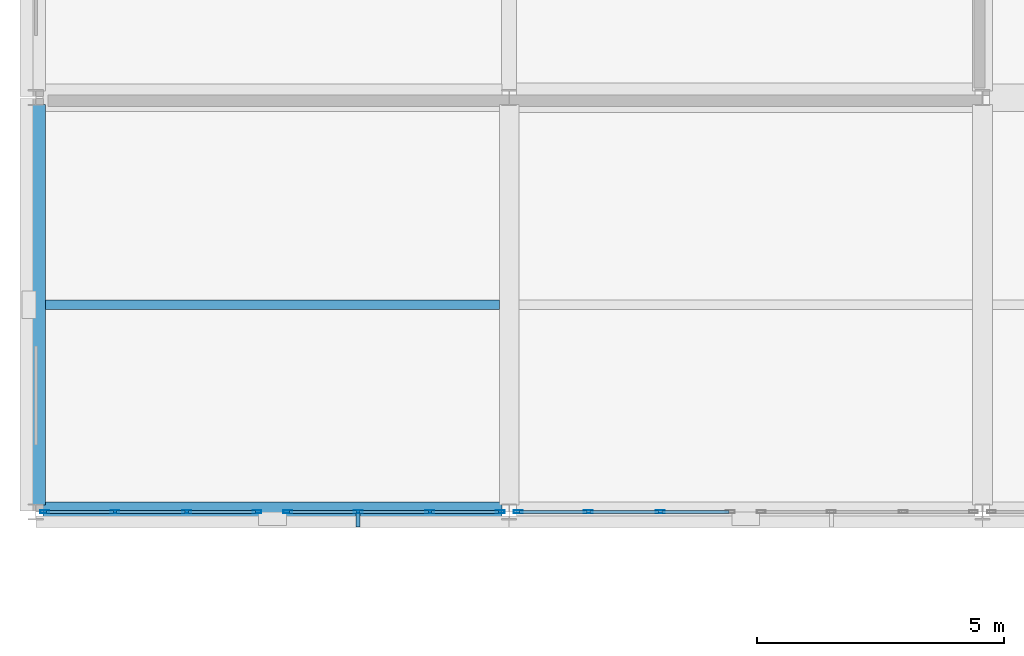
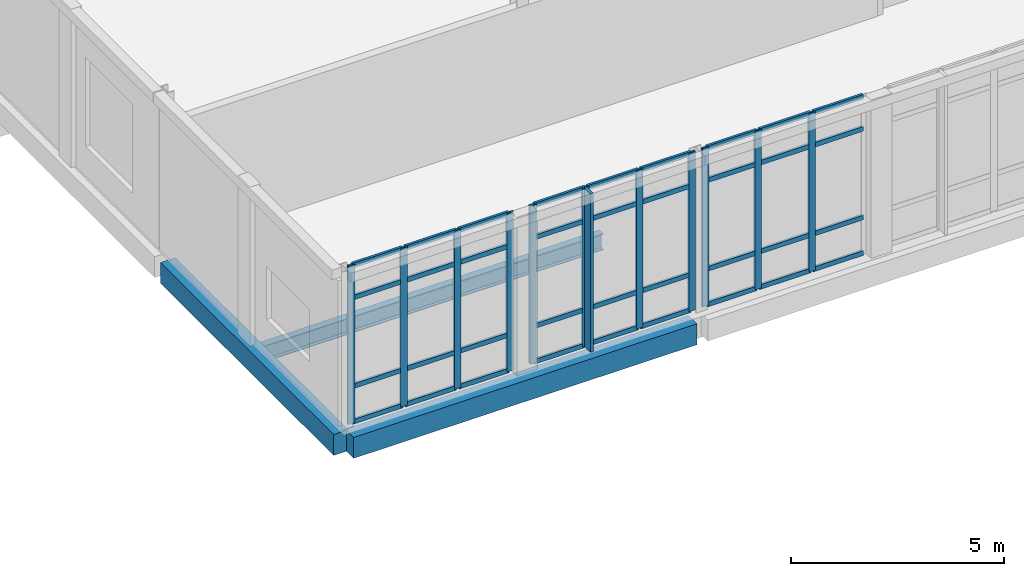
# One storey, part 41 of 88: 48 members, 3 beams, 3 elements without a shape of their own.
"""IFC4 building model written with IfcOpenShell, lengths in metres."""

from ifc_helpers import new_model, si_unit, direction, frame, origin, origin_2d, place, context, subcontext, project, spatial, rectangle, hollow_rectangle, i_section, extrude, material, layer, layer_set, material_profile, profile_set, type_object, element, aggregate, save


model = new_model("IFC4")

# Units and contexts
model_context = context("Model", 3, precision=1e-05, world=origin(), true_north=direction((0.0, 1.0)))
body_context = subcontext(model_context, "Body", "Model", "MODEL_VIEW")
ifc_project = project(units=[si_unit("LENGTHUNIT", "METRE"), si_unit("AREAUNIT", "SQUARE_METRE"), si_unit("VOLUMEUNIT", "CUBIC_METRE"), si_unit("PLANEANGLEUNIT", "RADIAN"), si_unit("MASSUNIT", "GRAM", prefix="KILO")], contexts=[model_context])

# Site, building, storey
site_placement = place(None, origin())
site = spatial("IfcSite", under=ifc_project, at=site_placement, CompositionType="ELEMENT")
building_placement = place(site_placement, origin())
building = spatial("IfcBuilding", under=site, at=building_placement, Name="Lornevale Opera House", CompositionType="ELEMENT")
storey_placement = place(building_placement, frame((0.0, 0.0, 10.199951171875)))
storey = spatial("IfcBuildingStorey", under=building, at=storey_placement, Name="L03", CompositionType="ELEMENT", Elevation=10.199951171875)

# Beams
ifc_material_1 = material(Name="Concrete 35 MPa (CSA A23.1 N)", Category="concrete")
ifc_material_profile_1 = material_profile(ifc_material_1, rectangle(XDim=0.39990234375, YDim=0.60009765625, at=origin_2d()), Name="RC400x600")
ifc_profile_set_1 = profile_set([ifc_material_profile_1], Name="Concrete 35 MPa (CSA A23.1 N)")
beam_type_1 = type_object("IfcBeamType", Name="Concrete Spandrel Beam 400x600", PredefinedType="SPANDREL", material=ifc_profile_set_1)
beam_1_placement = place(storey_placement, frame((0.14697265625, 67.199951171875, -0.579833984375), z_axis=(1.0, 0.0, 0.0), x_axis=(0.0, 1.0, 0.0)))
element("IfcBeam", 1, at=beam_1_placement, inside=storey, type_object=beam_type_1, Name="Concrete Spandrel Beam 400x600 2164", PredefinedType="SPANDREL", context=body_context, shape_type="SweptSolid", body=[
    extrude(rectangle(XDim=0.39990234375, YDim=0.60009765625, at=origin_2d()), origin(), (0.0, 0.0, 1.0), 9.305908203125),
])
beam_2_placement = place(storey_placement, frame((0.0, 67.33740234375, -0.579833984375), z_axis=(0.0, 1.0, 0.0), x_axis=(-1.0, 0.0, 0.0)))
element("IfcBeam", 2, at=beam_2_placement, inside=storey, type_object=beam_type_1, Name="Concrete Spandrel Beam 400x600 2229", PredefinedType="SPANDREL", context=body_context, shape_type="SweptSolid", body=[
    extrude(rectangle(XDim=0.39990234375, YDim=0.60009765625, at=origin_2d()), origin(), (0.0, 0.0, 1.0), 8.125),
])

# Curtain wall, members
ifc_material_2 = material(Name="Anodized Oxide-Green Aluminium Framing", Category="aluminium")
ifc_layer = layer(ifc_material_2, 0.175048828125)
ifc_layer_set = layer_set([ifc_layer], Name="Anodized Oxide-Green Aluminium Framing")
curtain_wall_type = type_object("IfcCurtainWallType", Name="Chamber Cloister Curtain Wall M1700", PredefinedType="NOTDEFINED", material=ifc_layer_set)
curtain_wall_1_placement = place(storey_placement, origin())
curtain_wall_1 = element("IfcCurtainWall", 3, at=curtain_wall_1_placement, inside=storey, type_object=curtain_wall_type, Name="Chamber Cloister Curtain Wall M1700 CW-096", PredefinedType="NOTDEFINED")
ifc_material_profile_2 = material_profile(ifc_material_2, hollow_rectangle(XDim=0.06494140625, YDim=0.179931640625, WallThickness=0.0048828125, at=origin_2d()), Name="ALU65x180x5")
ifc_profile_set_2 = profile_set([ifc_material_profile_2], Name="Anodized Oxide-Green Aluminium Framing")
member_type_1 = type_object("IfcMemberType", Name="Curtain Wall Mullion 65x180", PredefinedType="MULLION", material=ifc_profile_set_2)
member_1_placement = place(storey_placement, frame((9.4169921875, 67.199951171875, 0.0), z_axis=(0.0, 0.0, 1.0), x_axis=(0.0, -1.0, 0.0)))
member_1 = element("IfcMember", 4, at=member_1_placement, type_object=member_type_1, Name="Curtain Wall Mullion 65x180 CW1920", PredefinedType="MULLION", context=body_context, shape_type="SweptSolid", body=[
    extrude(hollow_rectangle(XDim=0.06494140625, YDim=0.179931640625, WallThickness=0.0048828125, at=origin_2d()), origin(), (0.0, 0.0, 1.0), 4.5400390625),
])
member_2_placement = place(storey_placement, frame((7.992919921875, 67.199951171875, 0.0), z_axis=(0.0, 0.0, 1.0), x_axis=(0.0, -1.0, 0.0)))
member_2 = element("IfcMember", 5, at=member_2_placement, type_object=member_type_1, Name="Curtain Wall Mullion 65x180 CW1921", PredefinedType="MULLION", context=body_context, shape_type="SweptSolid", body=[
    extrude(hollow_rectangle(XDim=0.06494140625, YDim=0.179931640625, WallThickness=0.0048828125, at=origin_2d()), origin(), (0.0, 0.0, 1.0), 4.5400390625),
])
member_3_placement = place(storey_placement, frame((6.53662109375, 67.199951171875, 0.0), z_axis=(0.0, 0.0, 1.0), x_axis=(0.0, -1.0, 0.0)))
member_3 = element("IfcMember", 6, at=member_3_placement, type_object=member_type_1, Name="Curtain Wall Mullion 65x180 CW1922", PredefinedType="MULLION", context=body_context, shape_type="SweptSolid", body=[
    extrude(hollow_rectangle(XDim=0.06494140625, YDim=0.179931640625, WallThickness=0.0048828125, at=origin_2d()), origin(), (0.0, 0.0, 1.0), 4.5400390625),
])
member_4_placement = place(storey_placement, frame((5.112548828125, 67.199951171875, 0.0), z_axis=(0.0, 0.0, 1.0), x_axis=(0.0, -1.0, 0.0)))
member_4 = element("IfcMember", 7, at=member_4_placement, type_object=member_type_1, Name="Curtain Wall Mullion 65x180 CW1923", PredefinedType="MULLION", context=body_context, shape_type="SweptSolid", body=[
    extrude(hollow_rectangle(XDim=0.06494140625, YDim=0.179931640625, WallThickness=0.0048828125, at=origin_2d()), origin(), (0.0, 0.0, 1.0), 4.5400390625),
])

curtain_wall_2_placement = place(storey_placement, origin())
curtain_wall_2 = element("IfcCurtainWall", 8, at=curtain_wall_2_placement, inside=storey, type_object=curtain_wall_type, Name="Chamber Cloister Curtain Wall M1700 CW-097", PredefinedType="NOTDEFINED")
member_5_placement = place(storey_placement, frame((4.487548828125, 67.199951171875, 0.0), z_axis=(0.0, 0.0, 1.0), x_axis=(0.0, -1.0, 0.0)))
member_5 = element("IfcMember", 9, at=member_5_placement, type_object=member_type_1, Name="Curtain Wall Mullion 65x180 CW1945", PredefinedType="MULLION", context=body_context, shape_type="SweptSolid", body=[
    extrude(hollow_rectangle(XDim=0.06494140625, YDim=0.179931640625, WallThickness=0.0048828125, at=origin_2d()), origin(), (0.0, 0.0, 1.0), 4.5400390625),
])
member_6_placement = place(storey_placement, frame((3.0634765625, 67.199951171875, 0.0), z_axis=(0.0, 0.0, 1.0), x_axis=(0.0, -1.0, 0.0)))
member_6 = element("IfcMember", 10, at=member_6_placement, type_object=member_type_1, Name="Curtain Wall Mullion 65x180 CW1946", PredefinedType="MULLION", context=body_context, shape_type="SweptSolid", body=[
    extrude(hollow_rectangle(XDim=0.06494140625, YDim=0.179931640625, WallThickness=0.0048828125, at=origin_2d()), origin(), (0.0, 0.0, 1.0), 4.5400390625),
])
member_7_placement = place(storey_placement, frame((1.60693359375, 67.199951171875, 0.0), z_axis=(0.0, 0.0, 1.0), x_axis=(0.0, -1.0, 0.0)))
member_7 = element("IfcMember", 11, at=member_7_placement, type_object=member_type_1, Name="Curtain Wall Mullion 65x180 CW1947", PredefinedType="MULLION", context=body_context, shape_type="SweptSolid", body=[
    extrude(hollow_rectangle(XDim=0.06494140625, YDim=0.179931640625, WallThickness=0.0048828125, at=origin_2d()), origin(), (0.0, 0.0, 1.0), 4.5400390625),
])
member_8_placement = place(storey_placement, frame((0.18310546875, 67.199951171875, 0.0), z_axis=(0.0, 0.0, 1.0), x_axis=(0.0, -1.0, 0.0)))
member_8 = element("IfcMember", 12, at=member_8_placement, type_object=member_type_1, Name="Curtain Wall Mullion 65x180 CW1948", PredefinedType="MULLION", context=body_context, shape_type="SweptSolid", body=[
    extrude(hollow_rectangle(XDim=0.06494140625, YDim=0.179931640625, WallThickness=0.0048828125, at=origin_2d()), origin(), (0.0, 0.0, 1.0), 4.5400390625),
])

curtain_wall_3_placement = place(storey_placement, origin())
curtain_wall_3 = element("IfcCurtainWall", 13, at=curtain_wall_3_placement, inside=storey, type_object=curtain_wall_type, Name="Chamber Cloister Curtain Wall M1700 CW-105", PredefinedType="NOTDEFINED")
member_9_placement = place(storey_placement, frame((12.66357421875, 67.199951171875, 0.0), z_axis=(0.0, 0.0, 1.0), x_axis=(0.0, -1.0, 0.0)))
member_9 = element("IfcMember", 14, at=member_9_placement, type_object=member_type_1, Name="Curtain Wall Mullion 65x180 CW2146", PredefinedType="MULLION", context=body_context, shape_type="SweptSolid", body=[
    extrude(hollow_rectangle(XDim=0.06494140625, YDim=0.179931640625, WallThickness=0.0048828125, at=origin_2d()), origin(), (0.0, 0.0, 1.0), 4.5400390625),
])
member_10_placement = place(storey_placement, frame((11.20703125, 67.199951171875, 0.0), z_axis=(0.0, 0.0, 1.0), x_axis=(0.0, -1.0, 0.0)))
member_10 = element("IfcMember", 15, at=member_10_placement, type_object=member_type_1, Name="Curtain Wall Mullion 65x180 CW2147", PredefinedType="MULLION", context=body_context, shape_type="SweptSolid", body=[
    extrude(hollow_rectangle(XDim=0.06494140625, YDim=0.179931640625, WallThickness=0.0048828125, at=origin_2d()), origin(), (0.0, 0.0, 1.0), 4.5400390625),
])
member_11_placement = place(storey_placement, frame((9.782958984375, 67.199951171875, 0.0), z_axis=(0.0, 0.0, 1.0), x_axis=(0.0, -1.0, 0.0)))
member_11 = element("IfcMember", 16, at=member_11_placement, type_object=member_type_1, Name="Curtain Wall Mullion 65x180 CW2148", PredefinedType="MULLION", context=body_context, shape_type="SweptSolid", body=[
    extrude(hollow_rectangle(XDim=0.06494140625, YDim=0.179931640625, WallThickness=0.0048828125, at=origin_2d()), origin(), (0.0, 0.0, 1.0), 4.5400390625),
])

# Member
ifc_material_profile_3 = material_profile(ifc_material_2, hollow_rectangle(XDim=0.06494140625, YDim=0.135009765625, WallThickness=0.00390625, at=origin_2d()), Name="ALU65x135x4")
ifc_profile_set_3 = profile_set([ifc_material_profile_3], Name="Anodized Oxide-Green Aluminium Framing")
member_type_2 = type_object("IfcMemberType", Name="Curtain Wall Transom 65x135", PredefinedType="USERDEFINED", material=ifc_profile_set_3)
member_12_placement = place(storey_placement, frame((9.384521484375, 67.199951171875, 0.032470703125), z_axis=(-1.0, 0.0, 0.0), x_axis=(0.0, -1.0, 0.0)))
member_12 = element("IfcMember", 17, at=member_12_placement, type_object=member_type_2, Name="Curtain Wall Transom 65x135 CW1924", ObjectType="TRANSOM", PredefinedType="USERDEFINED", context=body_context, shape_type="SweptSolid", body=[
    extrude(hollow_rectangle(XDim=0.06494140625, YDim=0.135009765625, WallThickness=0.00390625, at=origin_2d()), origin(), (0.0, 0.0, 1.0), 1.359130859375),
])

member_13_placement = place(storey_placement, frame((9.384521484375, 67.199951171875, 1.050048828125), z_axis=(-1.0, 0.0, 0.0), x_axis=(0.0, -1.0, 0.0)))
member_13 = element("IfcMember", 18, at=member_13_placement, type_object=member_type_2, Name="Curtain Wall Transom 65x135 CW1925", ObjectType="TRANSOM", PredefinedType="USERDEFINED", context=body_context, shape_type="SweptSolid", body=[
    extrude(hollow_rectangle(XDim=0.06494140625, YDim=0.135009765625, WallThickness=0.00390625, at=origin_2d()), origin(), (0.0, 0.0, 1.0), 1.359130859375),
])

member_14_placement = place(storey_placement, frame((9.384521484375, 67.199951171875, 3.590087890625), z_axis=(-1.0, 0.0, 0.0), x_axis=(0.0, -1.0, 0.0)))
member_14 = element("IfcMember", 19, at=member_14_placement, type_object=member_type_2, Name="Curtain Wall Transom 65x135 CW1926", ObjectType="TRANSOM", PredefinedType="USERDEFINED", context=body_context, shape_type="SweptSolid", body=[
    extrude(hollow_rectangle(XDim=0.06494140625, YDim=0.135009765625, WallThickness=0.00390625, at=origin_2d()), origin(), (0.0, 0.0, 1.0), 1.359130859375),
])

member_15_placement = place(storey_placement, frame((9.384521484375, 67.199951171875, 4.507568359375), z_axis=(-1.0, 0.0, 0.0), x_axis=(0.0, -1.0, 0.0)))
member_15 = element("IfcMember", 20, at=member_15_placement, type_object=member_type_2, Name="Curtain Wall Transom 65x135 CW1927", ObjectType="TRANSOM", PredefinedType="USERDEFINED", context=body_context, shape_type="SweptSolid", body=[
    extrude(hollow_rectangle(XDim=0.06494140625, YDim=0.135009765625, WallThickness=0.00390625, at=origin_2d()), origin(), (0.0, 0.0, 1.0), 1.359130859375),
])

member_16_placement = place(storey_placement, frame((7.96044921875, 67.199951171875, 0.032470703125), z_axis=(-1.0, 0.0, 0.0), x_axis=(0.0, -1.0, 0.0)))
member_16 = element("IfcMember", 21, at=member_16_placement, type_object=member_type_2, Name="Curtain Wall Transom 65x135 CW1931", ObjectType="TRANSOM", PredefinedType="USERDEFINED", context=body_context, shape_type="SweptSolid", body=[
    extrude(hollow_rectangle(XDim=0.06494140625, YDim=0.135009765625, WallThickness=0.00390625, at=origin_2d()), origin(), (0.0, 0.0, 1.0), 1.391357421875),
])

member_17_placement = place(storey_placement, frame((7.96044921875, 67.199951171875, 1.050048828125), z_axis=(-1.0, 0.0, 0.0), x_axis=(0.0, -1.0, 0.0)))
member_17 = element("IfcMember", 22, at=member_17_placement, type_object=member_type_2, Name="Curtain Wall Transom 65x135 CW1932", ObjectType="TRANSOM", PredefinedType="USERDEFINED", context=body_context, shape_type="SweptSolid", body=[
    extrude(hollow_rectangle(XDim=0.06494140625, YDim=0.135009765625, WallThickness=0.00390625, at=origin_2d()), origin(), (0.0, 0.0, 1.0), 1.391357421875),
])

member_18_placement = place(storey_placement, frame((7.96044921875, 67.199951171875, 3.590087890625), z_axis=(-1.0, 0.0, 0.0), x_axis=(0.0, -1.0, 0.0)))
member_18 = element("IfcMember", 23, at=member_18_placement, type_object=member_type_2, Name="Curtain Wall Transom 65x135 CW1933", ObjectType="TRANSOM", PredefinedType="USERDEFINED", context=body_context, shape_type="SweptSolid", body=[
    extrude(hollow_rectangle(XDim=0.06494140625, YDim=0.135009765625, WallThickness=0.00390625, at=origin_2d()), origin(), (0.0, 0.0, 1.0), 1.391357421875),
])

member_19_placement = place(storey_placement, frame((7.96044921875, 67.199951171875, 4.507568359375), z_axis=(-1.0, 0.0, 0.0), x_axis=(0.0, -1.0, 0.0)))
member_19 = element("IfcMember", 24, at=member_19_placement, type_object=member_type_2, Name="Curtain Wall Transom 65x135 CW1934", ObjectType="TRANSOM", PredefinedType="USERDEFINED", context=body_context, shape_type="SweptSolid", body=[
    extrude(hollow_rectangle(XDim=0.06494140625, YDim=0.135009765625, WallThickness=0.00390625, at=origin_2d()), origin(), (0.0, 0.0, 1.0), 1.391357421875),
])

member_20_placement = place(storey_placement, frame((6.50390625, 67.199951171875, 0.032470703125), z_axis=(-1.0, 0.0, 0.0), x_axis=(0.0, -1.0, 0.0)))
member_20 = element("IfcMember", 25, at=member_20_placement, type_object=member_type_2, Name="Curtain Wall Transom 65x135 CW1938", ObjectType="TRANSOM", PredefinedType="USERDEFINED", context=body_context, shape_type="SweptSolid", body=[
    extrude(hollow_rectangle(XDim=0.06494140625, YDim=0.135009765625, WallThickness=0.00390625, at=origin_2d()), origin(), (0.0, 0.0, 1.0), 1.35888671875),
])

member_21_placement = place(storey_placement, frame((6.50390625, 67.199951171875, 1.050048828125), z_axis=(-1.0, 0.0, 0.0), x_axis=(0.0, -1.0, 0.0)))
member_21 = element("IfcMember", 26, at=member_21_placement, type_object=member_type_2, Name="Curtain Wall Transom 65x135 CW1939", ObjectType="TRANSOM", PredefinedType="USERDEFINED", context=body_context, shape_type="SweptSolid", body=[
    extrude(hollow_rectangle(XDim=0.06494140625, YDim=0.135009765625, WallThickness=0.00390625, at=origin_2d()), origin(), (0.0, 0.0, 1.0), 1.35888671875),
])

member_22_placement = place(storey_placement, frame((6.50390625, 67.199951171875, 3.590087890625), z_axis=(-1.0, 0.0, 0.0), x_axis=(0.0, -1.0, 0.0)))
member_22 = element("IfcMember", 27, at=member_22_placement, type_object=member_type_2, Name="Curtain Wall Transom 65x135 CW1940", ObjectType="TRANSOM", PredefinedType="USERDEFINED", context=body_context, shape_type="SweptSolid", body=[
    extrude(hollow_rectangle(XDim=0.06494140625, YDim=0.135009765625, WallThickness=0.00390625, at=origin_2d()), origin(), (0.0, 0.0, 1.0), 1.35888671875),
])

member_23_placement = place(storey_placement, frame((6.50390625, 67.199951171875, 4.507568359375), z_axis=(-1.0, 0.0, 0.0), x_axis=(0.0, -1.0, 0.0)))
member_23 = element("IfcMember", 28, at=member_23_placement, type_object=member_type_2, Name="Curtain Wall Transom 65x135 CW1941", ObjectType="TRANSOM", PredefinedType="USERDEFINED", context=body_context, shape_type="SweptSolid", body=[
    extrude(hollow_rectangle(XDim=0.06494140625, YDim=0.135009765625, WallThickness=0.00390625, at=origin_2d()), origin(), (0.0, 0.0, 1.0), 1.35888671875),
])

member_24_placement = place(storey_placement, frame((4.455078125, 67.199951171875, 0.032470703125), z_axis=(-1.0, 0.0, 0.0), x_axis=(0.0, -1.0, 0.0)))
member_24 = element("IfcMember", 29, at=member_24_placement, type_object=member_type_2, Name="Curtain Wall Transom 65x135 CW1949", ObjectType="TRANSOM", PredefinedType="USERDEFINED", context=body_context, shape_type="SweptSolid", body=[
    extrude(hollow_rectangle(XDim=0.06494140625, YDim=0.135009765625, WallThickness=0.00390625, at=origin_2d()), origin(), (0.0, 0.0, 1.0), 1.359130859375),
])

member_25_placement = place(storey_placement, frame((4.455078125, 67.199951171875, 1.050048828125), z_axis=(-1.0, 0.0, 0.0), x_axis=(0.0, -1.0, 0.0)))
member_25 = element("IfcMember", 30, at=member_25_placement, type_object=member_type_2, Name="Curtain Wall Transom 65x135 CW1950", ObjectType="TRANSOM", PredefinedType="USERDEFINED", context=body_context, shape_type="SweptSolid", body=[
    extrude(hollow_rectangle(XDim=0.06494140625, YDim=0.135009765625, WallThickness=0.00390625, at=origin_2d()), origin(), (0.0, 0.0, 1.0), 1.359130859375),
])

member_26_placement = place(storey_placement, frame((4.455078125, 67.199951171875, 3.590087890625), z_axis=(-1.0, 0.0, 0.0), x_axis=(0.0, -1.0, 0.0)))
member_26 = element("IfcMember", 31, at=member_26_placement, type_object=member_type_2, Name="Curtain Wall Transom 65x135 CW1951", ObjectType="TRANSOM", PredefinedType="USERDEFINED", context=body_context, shape_type="SweptSolid", body=[
    extrude(hollow_rectangle(XDim=0.06494140625, YDim=0.135009765625, WallThickness=0.00390625, at=origin_2d()), origin(), (0.0, 0.0, 1.0), 1.359130859375),
])

member_27_placement = place(storey_placement, frame((4.455078125, 67.199951171875, 4.507568359375), z_axis=(-1.0, 0.0, 0.0), x_axis=(0.0, -1.0, 0.0)))
member_27 = element("IfcMember", 32, at=member_27_placement, type_object=member_type_2, Name="Curtain Wall Transom 65x135 CW1952", ObjectType="TRANSOM", PredefinedType="USERDEFINED", context=body_context, shape_type="SweptSolid", body=[
    extrude(hollow_rectangle(XDim=0.06494140625, YDim=0.135009765625, WallThickness=0.00390625, at=origin_2d()), origin(), (0.0, 0.0, 1.0), 1.359130859375),
])

member_28_placement = place(storey_placement, frame((3.031005859375, 67.199951171875, 0.032470703125), z_axis=(-1.0, 0.0, 0.0), x_axis=(0.0, -1.0, 0.0)))
member_28 = element("IfcMember", 33, at=member_28_placement, type_object=member_type_2, Name="Curtain Wall Transom 65x135 CW1956", ObjectType="TRANSOM", PredefinedType="USERDEFINED", context=body_context, shape_type="SweptSolid", body=[
    extrude(hollow_rectangle(XDim=0.06494140625, YDim=0.135009765625, WallThickness=0.00390625, at=origin_2d()), origin(), (0.0, 0.0, 1.0), 1.3916015625),
])

member_29_placement = place(storey_placement, frame((3.031005859375, 67.199951171875, 1.050048828125), z_axis=(-1.0, 0.0, 0.0), x_axis=(0.0, -1.0, 0.0)))
member_29 = element("IfcMember", 34, at=member_29_placement, type_object=member_type_2, Name="Curtain Wall Transom 65x135 CW1957", ObjectType="TRANSOM", PredefinedType="USERDEFINED", context=body_context, shape_type="SweptSolid", body=[
    extrude(hollow_rectangle(XDim=0.06494140625, YDim=0.135009765625, WallThickness=0.00390625, at=origin_2d()), origin(), (0.0, 0.0, 1.0), 1.3916015625),
])

member_30_placement = place(storey_placement, frame((3.031005859375, 67.199951171875, 3.590087890625), z_axis=(-1.0, 0.0, 0.0), x_axis=(0.0, -1.0, 0.0)))
member_30 = element("IfcMember", 35, at=member_30_placement, type_object=member_type_2, Name="Curtain Wall Transom 65x135 CW1958", ObjectType="TRANSOM", PredefinedType="USERDEFINED", context=body_context, shape_type="SweptSolid", body=[
    extrude(hollow_rectangle(XDim=0.06494140625, YDim=0.135009765625, WallThickness=0.00390625, at=origin_2d()), origin(), (0.0, 0.0, 1.0), 1.3916015625),
])

member_31_placement = place(storey_placement, frame((3.031005859375, 67.199951171875, 4.507568359375), z_axis=(-1.0, 0.0, 0.0), x_axis=(0.0, -1.0, 0.0)))
member_31 = element("IfcMember", 36, at=member_31_placement, type_object=member_type_2, Name="Curtain Wall Transom 65x135 CW1959", ObjectType="TRANSOM", PredefinedType="USERDEFINED", context=body_context, shape_type="SweptSolid", body=[
    extrude(hollow_rectangle(XDim=0.06494140625, YDim=0.135009765625, WallThickness=0.00390625, at=origin_2d()), origin(), (0.0, 0.0, 1.0), 1.3916015625),
])

member_32_placement = place(storey_placement, frame((1.574462890625, 67.199951171875, 0.032470703125), z_axis=(-1.0, 0.0, 0.0), x_axis=(0.0, -1.0, 0.0)))
member_32 = element("IfcMember", 37, at=member_32_placement, type_object=member_type_2, Name="Curtain Wall Transom 65x135 CW1963", ObjectType="TRANSOM", PredefinedType="USERDEFINED", context=body_context, shape_type="SweptSolid", body=[
    extrude(hollow_rectangle(XDim=0.06494140625, YDim=0.135009765625, WallThickness=0.00390625, at=origin_2d()), origin(), (0.0, 0.0, 1.0), 1.35888671875),
])

member_33_placement = place(storey_placement, frame((1.574462890625, 67.199951171875, 1.050048828125), z_axis=(-1.0, 0.0, 0.0), x_axis=(0.0, -1.0, 0.0)))
member_33 = element("IfcMember", 38, at=member_33_placement, type_object=member_type_2, Name="Curtain Wall Transom 65x135 CW1964", ObjectType="TRANSOM", PredefinedType="USERDEFINED", context=body_context, shape_type="SweptSolid", body=[
    extrude(hollow_rectangle(XDim=0.06494140625, YDim=0.135009765625, WallThickness=0.00390625, at=origin_2d()), origin(), (0.0, 0.0, 1.0), 1.35888671875),
])

member_34_placement = place(storey_placement, frame((1.574462890625, 67.199951171875, 3.590087890625), z_axis=(-1.0, 0.0, 0.0), x_axis=(0.0, -1.0, 0.0)))
member_34 = element("IfcMember", 39, at=member_34_placement, type_object=member_type_2, Name="Curtain Wall Transom 65x135 CW1965", ObjectType="TRANSOM", PredefinedType="USERDEFINED", context=body_context, shape_type="SweptSolid", body=[
    extrude(hollow_rectangle(XDim=0.06494140625, YDim=0.135009765625, WallThickness=0.00390625, at=origin_2d()), origin(), (0.0, 0.0, 1.0), 1.35888671875),
])

member_35_placement = place(storey_placement, frame((1.574462890625, 67.199951171875, 4.507568359375), z_axis=(-1.0, 0.0, 0.0), x_axis=(0.0, -1.0, 0.0)))
member_35 = element("IfcMember", 40, at=member_35_placement, type_object=member_type_2, Name="Curtain Wall Transom 65x135 CW1966", ObjectType="TRANSOM", PredefinedType="USERDEFINED", context=body_context, shape_type="SweptSolid", body=[
    extrude(hollow_rectangle(XDim=0.06494140625, YDim=0.135009765625, WallThickness=0.00390625, at=origin_2d()), origin(), (0.0, 0.0, 1.0), 1.35888671875),
])

aggregate(curtain_wall_2, [member_5, member_6, member_7, member_8, member_24, member_25, member_26, member_27, member_28, member_29, member_30, member_31, member_32, member_33, member_34, member_35])

member_36_placement = place(storey_placement, frame((14.054931640625, 67.199951171875, 0.032470703125), z_axis=(-1.0, 0.0, 0.0), x_axis=(0.0, -1.0, 0.0)))
member_36 = element("IfcMember", 41, at=member_36_placement, type_object=member_type_2, Name="Curtain Wall Transom 65x135 CW2149", ObjectType="TRANSOM", PredefinedType="USERDEFINED", context=body_context, shape_type="SweptSolid", body=[
    extrude(hollow_rectangle(XDim=0.06494140625, YDim=0.135009765625, WallThickness=0.00390625, at=origin_2d()), origin(), (0.0, 0.0, 1.0), 1.35888671875),
])

member_37_placement = place(storey_placement, frame((14.054931640625, 67.199951171875, 1.050048828125), z_axis=(-1.0, 0.0, 0.0), x_axis=(0.0, -1.0, 0.0)))
member_37 = element("IfcMember", 42, at=member_37_placement, type_object=member_type_2, Name="Curtain Wall Transom 65x135 CW2150", ObjectType="TRANSOM", PredefinedType="USERDEFINED", context=body_context, shape_type="SweptSolid", body=[
    extrude(hollow_rectangle(XDim=0.06494140625, YDim=0.135009765625, WallThickness=0.00390625, at=origin_2d()), origin(), (0.0, 0.0, 1.0), 1.35888671875),
])

member_38_placement = place(storey_placement, frame((14.054931640625, 67.199951171875, 3.590087890625), z_axis=(-1.0, 0.0, 0.0), x_axis=(0.0, -1.0, 0.0)))
member_38 = element("IfcMember", 43, at=member_38_placement, type_object=member_type_2, Name="Curtain Wall Transom 65x135 CW2151", ObjectType="TRANSOM", PredefinedType="USERDEFINED", context=body_context, shape_type="SweptSolid", body=[
    extrude(hollow_rectangle(XDim=0.06494140625, YDim=0.135009765625, WallThickness=0.00390625, at=origin_2d()), origin(), (0.0, 0.0, 1.0), 1.35888671875),
])

member_39_placement = place(storey_placement, frame((14.054931640625, 67.199951171875, 4.507568359375), z_axis=(-1.0, 0.0, 0.0), x_axis=(0.0, -1.0, 0.0)))
member_39 = element("IfcMember", 44, at=member_39_placement, type_object=member_type_2, Name="Curtain Wall Transom 65x135 CW2152", ObjectType="TRANSOM", PredefinedType="USERDEFINED", context=body_context, shape_type="SweptSolid", body=[
    extrude(hollow_rectangle(XDim=0.06494140625, YDim=0.135009765625, WallThickness=0.00390625, at=origin_2d()), origin(), (0.0, 0.0, 1.0), 1.35888671875),
])

member_40_placement = place(storey_placement, frame((12.631103515625, 67.199951171875, 0.032470703125), z_axis=(-1.0, 0.0, 0.0), x_axis=(0.0, -1.0, 0.0)))
member_40 = element("IfcMember", 45, at=member_40_placement, type_object=member_type_2, Name="Curtain Wall Transom 65x135 CW2156", ObjectType="TRANSOM", PredefinedType="USERDEFINED", context=body_context, shape_type="SweptSolid", body=[
    extrude(hollow_rectangle(XDim=0.06494140625, YDim=0.135009765625, WallThickness=0.00390625, at=origin_2d()), origin(), (0.0, 0.0, 1.0), 1.3916015625),
])

member_41_placement = place(storey_placement, frame((12.631103515625, 67.199951171875, 1.050048828125), z_axis=(-1.0, 0.0, 0.0), x_axis=(0.0, -1.0, 0.0)))
member_41 = element("IfcMember", 46, at=member_41_placement, type_object=member_type_2, Name="Curtain Wall Transom 65x135 CW2157", ObjectType="TRANSOM", PredefinedType="USERDEFINED", context=body_context, shape_type="SweptSolid", body=[
    extrude(hollow_rectangle(XDim=0.06494140625, YDim=0.135009765625, WallThickness=0.00390625, at=origin_2d()), origin(), (0.0, 0.0, 1.0), 1.3916015625),
])

member_42_placement = place(storey_placement, frame((12.631103515625, 67.199951171875, 3.590087890625), z_axis=(-1.0, 0.0, 0.0), x_axis=(0.0, -1.0, 0.0)))
member_42 = element("IfcMember", 47, at=member_42_placement, type_object=member_type_2, Name="Curtain Wall Transom 65x135 CW2158", ObjectType="TRANSOM", PredefinedType="USERDEFINED", context=body_context, shape_type="SweptSolid", body=[
    extrude(hollow_rectangle(XDim=0.06494140625, YDim=0.135009765625, WallThickness=0.00390625, at=origin_2d()), origin(), (0.0, 0.0, 1.0), 1.3916015625),
])

member_43_placement = place(storey_placement, frame((12.631103515625, 67.199951171875, 4.507568359375), z_axis=(-1.0, 0.0, 0.0), x_axis=(0.0, -1.0, 0.0)))
member_43 = element("IfcMember", 48, at=member_43_placement, type_object=member_type_2, Name="Curtain Wall Transom 65x135 CW2159", ObjectType="TRANSOM", PredefinedType="USERDEFINED", context=body_context, shape_type="SweptSolid", body=[
    extrude(hollow_rectangle(XDim=0.06494140625, YDim=0.135009765625, WallThickness=0.00390625, at=origin_2d()), origin(), (0.0, 0.0, 1.0), 1.3916015625),
])

member_44_placement = place(storey_placement, frame((11.174560546875, 67.199951171875, 0.032470703125), z_axis=(-1.0, 0.0, 0.0), x_axis=(0.0, -1.0, 0.0)))
member_44 = element("IfcMember", 49, at=member_44_placement, type_object=member_type_2, Name="Curtain Wall Transom 65x135 CW2163", ObjectType="TRANSOM", PredefinedType="USERDEFINED", context=body_context, shape_type="SweptSolid", body=[
    extrude(hollow_rectangle(XDim=0.06494140625, YDim=0.135009765625, WallThickness=0.00390625, at=origin_2d()), origin(), (0.0, 0.0, 1.0), 1.359130859375),
])

member_45_placement = place(storey_placement, frame((11.174560546875, 67.199951171875, 1.050048828125), z_axis=(-1.0, 0.0, 0.0), x_axis=(0.0, -1.0, 0.0)))
member_45 = element("IfcMember", 50, at=member_45_placement, type_object=member_type_2, Name="Curtain Wall Transom 65x135 CW2164", ObjectType="TRANSOM", PredefinedType="USERDEFINED", context=body_context, shape_type="SweptSolid", body=[
    extrude(hollow_rectangle(XDim=0.06494140625, YDim=0.135009765625, WallThickness=0.00390625, at=origin_2d()), origin(), (0.0, 0.0, 1.0), 1.359130859375),
])

member_46_placement = place(storey_placement, frame((11.174560546875, 67.199951171875, 3.590087890625), z_axis=(-1.0, 0.0, 0.0), x_axis=(0.0, -1.0, 0.0)))
member_46 = element("IfcMember", 51, at=member_46_placement, type_object=member_type_2, Name="Curtain Wall Transom 65x135 CW2165", ObjectType="TRANSOM", PredefinedType="USERDEFINED", context=body_context, shape_type="SweptSolid", body=[
    extrude(hollow_rectangle(XDim=0.06494140625, YDim=0.135009765625, WallThickness=0.00390625, at=origin_2d()), origin(), (0.0, 0.0, 1.0), 1.359130859375),
])

member_47_placement = place(storey_placement, frame((11.174560546875, 67.199951171875, 4.507568359375), z_axis=(-1.0, 0.0, 0.0), x_axis=(0.0, -1.0, 0.0)))
member_47 = element("IfcMember", 52, at=member_47_placement, type_object=member_type_2, Name="Curtain Wall Transom 65x135 CW2166", ObjectType="TRANSOM", PredefinedType="USERDEFINED", context=body_context, shape_type="SweptSolid", body=[
    extrude(hollow_rectangle(XDim=0.06494140625, YDim=0.135009765625, WallThickness=0.00390625, at=origin_2d()), origin(), (0.0, 0.0, 1.0), 1.359130859375),
])

aggregate(curtain_wall_3, [member_9, member_10, member_11, member_36, member_37, member_38, member_39, member_40, member_41, member_42, member_43, member_44, member_45, member_46, member_47])

ifc_material_3 = material(Name="Architectural Bronze Solar Louvre Alloy", Category="metal")
ifc_material_profile_4 = material_profile(ifc_material_3, rectangle(XDim=0.080078125, YDim=0.360107421875, at=origin_2d()), Name="FIN80x360")
ifc_profile_set_4 = profile_set([ifc_material_profile_4], Name="Architectural Bronze Solar Louvre Alloy")
member_type_3 = type_object("IfcMemberType", Name="Solar Shading Fin 80x360", PredefinedType="USERDEFINED", material=ifc_profile_set_4)
member_48_placement = place(storey_placement, frame((6.53662109375, 67.073974609375, 0.0), z_axis=(0.0, 0.0, 1.0), x_axis=(-1.0, 0.0, 0.0)))
member_48 = element("IfcMember", 53, at=member_48_placement, type_object=member_type_3, Name="Solar Shading Fin 80x360 FIN0042", ObjectType="SOLAR FIN", PredefinedType="USERDEFINED", context=body_context, shape_type="SweptSolid", body=[
    extrude(rectangle(XDim=0.080078125, YDim=0.360107421875, at=origin_2d()), origin(), (0.0, 0.0, 1.0), 4.5400390625),
])

aggregate(curtain_wall_1, [member_1, member_2, member_3, member_4, member_12, member_13, member_14, member_15, member_16, member_17, member_18, member_19, member_20, member_21, member_22, member_23, member_48])

# Beam
ifc_material_4 = material(Name="Structural Steel CSA G40.21 Grade 350W (350 MPa)", Category="steel")
ifc_material_profile_5 = material_profile(ifc_material_4, i_section(OverallWidth=0.19189453125, OverallDepth=0.462890625, WebThickness=0.010498046875, FlangeThickness=0.017578125, at=origin_2d()), Name="W460x89")
ifc_profile_set_5 = profile_set([ifc_material_profile_5], Name="Structural Steel CSA G40.21 Grade 350W (350 MPa)")
beam_type_2 = type_object("IfcBeamType", Name="Steel Floor Joist W460x89", PredefinedType="JOIST", material=ifc_profile_set_5)
beam_3_placement = place(storey_placement, frame((0.199951171875, 71.39990234375, -0.5263671875), z_axis=(1.0, 0.0, 0.0), x_axis=(0.0, 1.0, 0.0)))
element("IfcBeam", 54, at=beam_3_placement, inside=storey, type_object=beam_type_2, Name="Steel Floor Joist W460x89 2367", PredefinedType="JOIST", context=body_context, shape_type="SweptSolid", body=[
    extrude(i_section(OverallWidth=0.19189453125, OverallDepth=0.462890625, WebThickness=0.010498046875, FlangeThickness=0.017578125, at=origin_2d()), origin(), (0.0, 0.0, 1.0), 9.199951171875),
])

save(model, "model.ifc")
